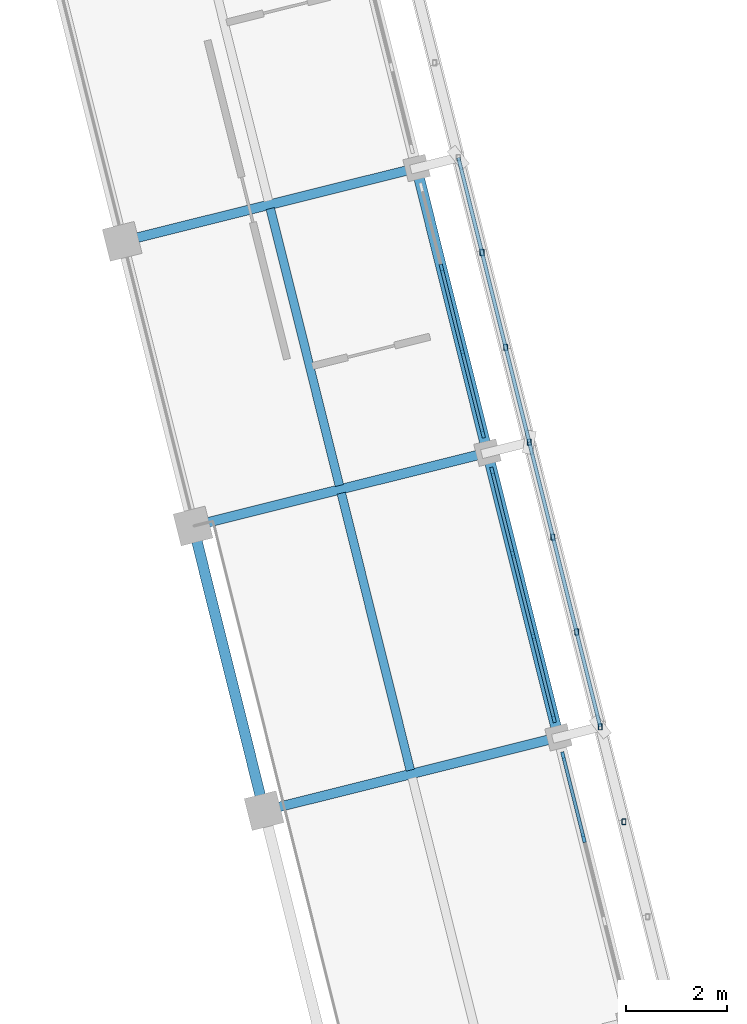
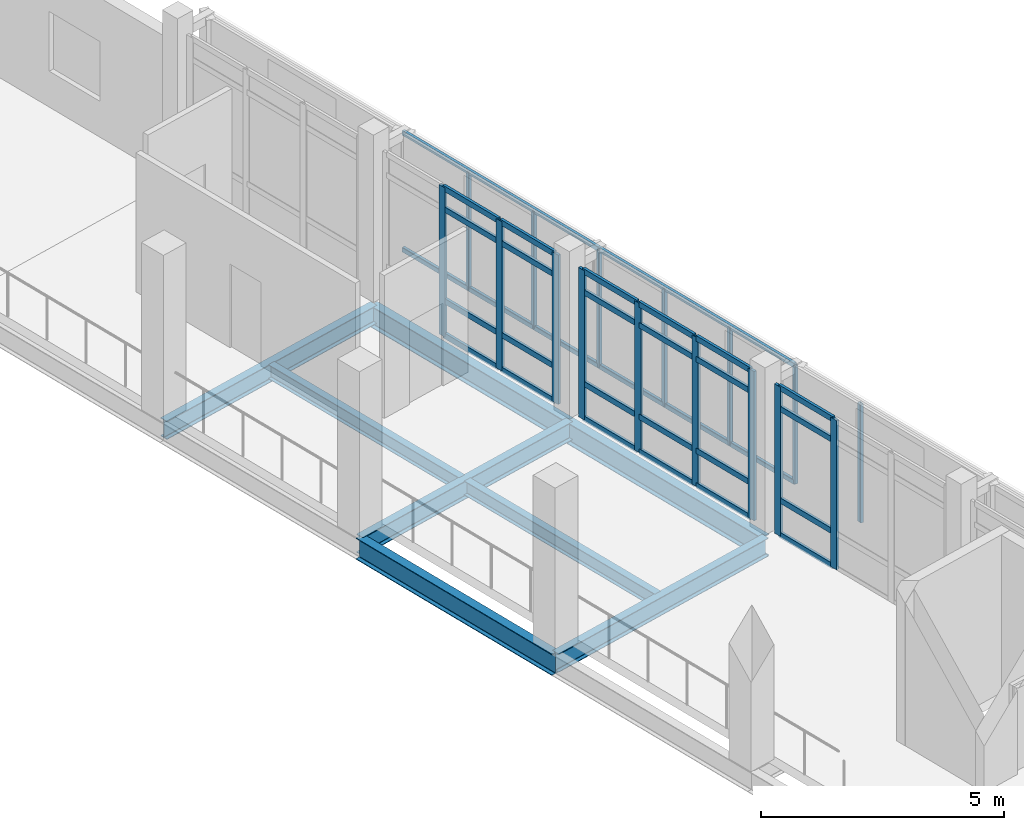
# One storey, part 21 of 137: 44 members, 8 beams, 3 elements without a shape of their own.
"""IFC4 building model written with IfcOpenShell, lengths in metres."""

from ifc_helpers import new_model, si_unit, direction, frame, origin, origin_2d, place, context, subcontext, project, spatial, rectangle, hollow_rectangle, i_section, extrude, material, material_profile, profile_set, type_object, element, aggregate, save


model = new_model("IFC4")

# Units and contexts
model_context = context("Model", 3, precision=1e-05, world=origin(), true_north=direction((0.0, 1.0)))
body_context = subcontext(model_context, "Body", "Model", "MODEL_VIEW")
ifc_project = project(units=[si_unit("LENGTHUNIT", "METRE"), si_unit("AREAUNIT", "SQUARE_METRE"), si_unit("VOLUMEUNIT", "CUBIC_METRE"), si_unit("PLANEANGLEUNIT", "RADIAN"), si_unit("MASSUNIT", "GRAM", prefix="KILO")], contexts=[model_context])

# Site, building, storey
site_placement = place(None, origin())
site = spatial("IfcSite", under=ifc_project, at=site_placement, CompositionType="ELEMENT")
building_placement = place(site_placement, origin())
building = spatial("IfcBuilding", under=site, at=building_placement, Name="Cinderway Yard Community Centre", CompositionType="ELEMENT")
storey_placement = place(building_placement, frame((0.0, 0.0, 4.800048828125)))
storey = spatial("IfcBuildingStorey", under=building, at=storey_placement, Name="L01", CompositionType="ELEMENT", Elevation=4.800048828125)

# Curtain wall, members
ifc_material_1 = material(Name="Aluminium 6063-T6", Category="aluminium")
curtain_wall_type = type_object("IfcCurtainWallType", Name="ENV-CW-TYPE-04", PredefinedType="USERDEFINED", material=ifc_material_1)
curtain_wall_1_placement = place(storey_placement, origin())
curtain_wall_1 = element("IfcCurtainWall", 1, at=curtain_wall_1_placement, inside=storey, type_object=curtain_wall_type, Name="Main Hall Courtyard Curtain Wall ENV-CW-L01-HS-0013", ObjectType="GLAZED CURTAIN WALL", PredefinedType="USERDEFINED")
ifc_material_profile_1 = material_profile(ifc_material_1, rectangle(XDim=0.06494140625, YDim=0.179931640625, at=origin_2d()), Name="Aluminium 6063-T6")
ifc_profile_set_1 = profile_set([ifc_material_profile_1], Name="Aluminium 6063-T6")
member_type_1 = type_object("IfcMemberType", Name="ENV-CW-MULL-180", PredefinedType="MULLION", material=ifc_profile_set_1)
member_1_placement = place(storey_placement, frame((47.68359375, 53.860595703125, 0.0), z_axis=(0.0, 0.0, 1.0), x_axis=(-0.97030436752, -0.241887234827, 0.0)))
member_1 = element("IfcMember", 2, at=member_1_placement, type_object=member_type_1, Name="CW-04 mullion 3", PredefinedType="MULLION", context=body_context, shape_type="SweptSolid", body=[
    extrude(rectangle(XDim=0.06494140625, YDim=0.179931640625, at=origin_2d()), origin(), (0.0, 0.0, 1.0), 3.75),
])
member_2_placement = place(storey_placement, frame((47.28125, 55.474853515625, 0.0), z_axis=(0.0, 0.0, 1.0), x_axis=(-0.97030436752, -0.241887234827, 0.0)))
member_2 = element("IfcMember", 3, at=member_2_placement, type_object=member_type_1, Name="CW-04 mullion 4", PredefinedType="MULLION", context=body_context, shape_type="SweptSolid", body=[
    extrude(rectangle(XDim=0.06494140625, YDim=0.179931640625, at=origin_2d()), origin(), (0.0, 0.0, 1.0), 3.75),
])

curtain_wall_2_placement = place(storey_placement, origin())
curtain_wall_2 = element("IfcCurtainWall", 4, at=curtain_wall_2_placement, inside=storey, type_object=curtain_wall_type, Name="Main Hall Courtyard Curtain Wall ENV-CW-L01-HS-0014", ObjectType="GLAZED CURTAIN WALL", PredefinedType="USERDEFINED")
member_3_placement = place(storey_placement, frame((47.0927734375, 56.231201171875, 0.0), z_axis=(0.0, 0.0, 1.0), x_axis=(-0.97030436752, -0.241887234827, 0.0)))
member_3 = element("IfcMember", 5, at=member_3_placement, type_object=member_type_1, Name="CW-04 mullion 1", PredefinedType="MULLION", context=body_context, shape_type="SweptSolid", body=[
    extrude(rectangle(XDim=0.06494140625, YDim=0.179931640625, at=origin_2d()), origin(), (0.0, 0.0, 1.0), 3.75),
])
member_4_placement = place(storey_placement, frame((46.6904296875, 57.84521484375, 0.0), z_axis=(0.0, 0.0, 1.0), x_axis=(-0.97030436752, -0.241887234827, 0.0)))
member_4 = element("IfcMember", 6, at=member_4_placement, type_object=member_type_1, Name="CW-04 mullion 2", PredefinedType="MULLION", context=body_context, shape_type="SweptSolid", body=[
    extrude(rectangle(XDim=0.06494140625, YDim=0.179931640625, at=origin_2d()), origin(), (0.0, 0.0, 1.0), 3.75),
])
member_5_placement = place(storey_placement, frame((46.28076171875, 59.48876953125, 0.0), z_axis=(0.0, 0.0, 1.0), x_axis=(-0.97030436752, -0.241887234827, 0.0)))
member_5 = element("IfcMember", 7, at=member_5_placement, type_object=member_type_1, Name="CW-04 mullion 3", PredefinedType="MULLION", context=body_context, shape_type="SweptSolid", body=[
    extrude(rectangle(XDim=0.06494140625, YDim=0.179931640625, at=origin_2d()), origin(), (0.0, 0.0, 1.0), 3.75),
])
member_6_placement = place(storey_placement, frame((45.878173828125, 61.102783203125, 0.0), z_axis=(0.0, 0.0, 1.0), x_axis=(-0.97030436752, -0.241887234827, 0.0)))
member_6 = element("IfcMember", 8, at=member_6_placement, type_object=member_type_1, Name="CW-04 mullion 4", PredefinedType="MULLION", context=body_context, shape_type="SweptSolid", body=[
    extrude(rectangle(XDim=0.06494140625, YDim=0.179931640625, at=origin_2d()), origin(), (0.0, 0.0, 1.0), 3.75),
])

curtain_wall_3_placement = place(storey_placement, origin())
curtain_wall_3 = element("IfcCurtainWall", 9, at=curtain_wall_3_placement, inside=storey, type_object=curtain_wall_type, Name="Main Hall Courtyard Curtain Wall ENV-CW-L01-HS-0015", ObjectType="GLAZED CURTAIN WALL", PredefinedType="USERDEFINED")
member_7_placement = place(storey_placement, frame((45.689697265625, 61.859130859375, 0.0), z_axis=(0.0, 0.0, 1.0), x_axis=(-0.970292848611, -0.241933436991, 0.0)))
member_7 = element("IfcMember", 10, at=member_7_placement, type_object=member_type_1, Name="CW-04 mullion 1", PredefinedType="MULLION", context=body_context, shape_type="SweptSolid", body=[
    extrude(rectangle(XDim=0.06494140625, YDim=0.179931640625, at=origin_2d()), origin(), (0.0, 0.0, 1.0), 3.75),
])
member_8_placement = place(storey_placement, frame((45.287353515625, 63.472900390625, 0.0), z_axis=(0.0, 0.0, 1.0), x_axis=(-0.970292848611, -0.241933436991, 0.0)))
member_8 = element("IfcMember", 11, at=member_8_placement, type_object=member_type_1, Name="CW-04 mullion 2", PredefinedType="MULLION", context=body_context, shape_type="SweptSolid", body=[
    extrude(rectangle(XDim=0.06494140625, YDim=0.179931640625, at=origin_2d()), origin(), (0.0, 0.0, 1.0), 3.75),
])
member_9_placement = place(storey_placement, frame((44.877685546875, 65.115966796875, 0.0), z_axis=(0.0, 0.0, 1.0), x_axis=(-0.970292848611, -0.241933436991, 0.0)))
member_9 = element("IfcMember", 12, at=member_9_placement, type_object=member_type_1, Name="CW-04 mullion 3", PredefinedType="MULLION", context=body_context, shape_type="SweptSolid", body=[
    extrude(rectangle(XDim=0.06494140625, YDim=0.179931640625, at=origin_2d()), origin(), (0.0, 0.0, 1.0), 3.75),
])

# Member
ifc_material_profile_2 = material_profile(ifc_material_1, rectangle(XDim=0.06494140625, YDim=0.139892578125, at=origin_2d()), Name="Aluminium 6063-T6")
ifc_profile_set_2 = profile_set([ifc_material_profile_2], Name="Aluminium 6063-T6")
member_type_2 = type_object("IfcMemberType", Name="ENV-CW-TRAN-140", PredefinedType="USERDEFINED", material=ifc_profile_set_2)
member_10_placement = place(storey_placement, frame((47.676513671875, 53.889892578125, 0.030029296875), z_axis=(-0.241926573916, 0.970294559829, 0.0), x_axis=(-0.970294559829, -0.241926573916, 0.0)))
member_10 = element("IfcMember", 13, at=member_10_placement, type_object=member_type_2, Name="CW-04 transom 3.1", ObjectType="TRANSOM", PredefinedType="USERDEFINED", context=body_context, shape_type="SweptSolid", body=[
    extrude(rectangle(XDim=0.06494140625, YDim=0.139892578125, at=origin_2d()), origin(), (0.0, 0.0, 1.0), 1.603515625),
])

member_11_placement = place(storey_placement, frame((47.676513671875, 53.889892578125, 0.89990234375), z_axis=(-0.241926573916, 0.970294559829, 0.0), x_axis=(-0.970294559829, -0.241926573916, 0.0)))
member_11 = element("IfcMember", 14, at=member_11_placement, type_object=member_type_2, Name="CW-04 transom 3.2", ObjectType="TRANSOM", PredefinedType="USERDEFINED", context=body_context, shape_type="SweptSolid", body=[
    extrude(rectangle(XDim=0.06494140625, YDim=0.139892578125, at=origin_2d()), origin(), (0.0, 0.0, 1.0), 1.603515625),
])

member_12_placement = place(storey_placement, frame((47.676513671875, 53.889892578125, 3.199951171875), z_axis=(-0.241926573916, 0.970294559829, 0.0), x_axis=(-0.970294559829, -0.241926573916, 0.0)))
member_12 = element("IfcMember", 15, at=member_12_placement, type_object=member_type_2, Name="CW-04 transom 3.3", ObjectType="TRANSOM", PredefinedType="USERDEFINED", context=body_context, shape_type="SweptSolid", body=[
    extrude(rectangle(XDim=0.06494140625, YDim=0.139892578125, at=origin_2d()), origin(), (0.0, 0.0, 1.0), 1.603515625),
])

member_13_placement = place(storey_placement, frame((47.676513671875, 53.889892578125, 3.719970703125), z_axis=(-0.241926573916, 0.970294559829, 0.0), x_axis=(-0.970294559829, -0.241926573916, 0.0)))
member_13 = element("IfcMember", 16, at=member_13_placement, type_object=member_type_2, Name="CW-04 transom 3.4", ObjectType="TRANSOM", PredefinedType="USERDEFINED", context=body_context, shape_type="SweptSolid", body=[
    extrude(rectangle(XDim=0.06494140625, YDim=0.139892578125, at=origin_2d()), origin(), (0.0, 0.0, 1.0), 1.603515625),
])

aggregate(curtain_wall_1, [member_1, member_2, member_10, member_11, member_12, member_13])

member_14_placement = place(storey_placement, frame((47.08544921875, 56.26025390625, 0.030029296875), z_axis=(-0.241926573916, 0.970294559829, 0.0), x_axis=(-0.970294559829, -0.241926573916, 0.0)))
member_14 = element("IfcMember", 17, at=member_14_placement, type_object=member_type_2, Name="CW-04 transom 1.1", ObjectType="TRANSOM", PredefinedType="USERDEFINED", context=body_context, shape_type="SweptSolid", body=[
    extrude(rectangle(XDim=0.06494140625, YDim=0.139892578125, at=origin_2d()), origin(), (0.0, 0.0, 1.0), 1.603515625),
])

member_15_placement = place(storey_placement, frame((47.08544921875, 56.26025390625, 0.89990234375), z_axis=(-0.241926573916, 0.970294559829, 0.0), x_axis=(-0.970294559829, -0.241926573916, 0.0)))
member_15 = element("IfcMember", 18, at=member_15_placement, type_object=member_type_2, Name="CW-04 transom 1.2", ObjectType="TRANSOM", PredefinedType="USERDEFINED", context=body_context, shape_type="SweptSolid", body=[
    extrude(rectangle(XDim=0.06494140625, YDim=0.139892578125, at=origin_2d()), origin(), (0.0, 0.0, 1.0), 1.603515625),
])

member_16_placement = place(storey_placement, frame((47.08544921875, 56.26025390625, 3.199951171875), z_axis=(-0.241926573916, 0.970294559829, 0.0), x_axis=(-0.970294559829, -0.241926573916, 0.0)))
member_16 = element("IfcMember", 19, at=member_16_placement, type_object=member_type_2, Name="CW-04 transom 1.3", ObjectType="TRANSOM", PredefinedType="USERDEFINED", context=body_context, shape_type="SweptSolid", body=[
    extrude(rectangle(XDim=0.06494140625, YDim=0.139892578125, at=origin_2d()), origin(), (0.0, 0.0, 1.0), 1.603515625),
])

member_17_placement = place(storey_placement, frame((47.08544921875, 56.26025390625, 3.719970703125), z_axis=(-0.241926573916, 0.970294559829, 0.0), x_axis=(-0.970294559829, -0.241926573916, 0.0)))
member_17 = element("IfcMember", 20, at=member_17_placement, type_object=member_type_2, Name="CW-04 transom 1.4", ObjectType="TRANSOM", PredefinedType="USERDEFINED", context=body_context, shape_type="SweptSolid", body=[
    extrude(rectangle(XDim=0.06494140625, YDim=0.139892578125, at=origin_2d()), origin(), (0.0, 0.0, 1.0), 1.603515625),
])

member_18_placement = place(storey_placement, frame((46.68310546875, 57.87451171875, 0.030029296875), z_axis=(-0.241972917865, 0.970283003571, 0.0), x_axis=(-0.970283003571, -0.241972917865, 0.0)))
member_18 = element("IfcMember", 21, at=member_18_placement, type_object=member_type_2, Name="CW-04 transom 2.1", ObjectType="TRANSOM", PredefinedType="USERDEFINED", context=body_context, shape_type="SweptSolid", body=[
    extrude(rectangle(XDim=0.06494140625, YDim=0.139892578125, at=origin_2d()), origin(), (0.0, 0.0, 1.0), 1.633544921875),
])

member_19_placement = place(storey_placement, frame((46.68310546875, 57.87451171875, 0.89990234375), z_axis=(-0.241972917865, 0.970283003571, 0.0), x_axis=(-0.970283003571, -0.241972917865, 0.0)))
member_19 = element("IfcMember", 22, at=member_19_placement, type_object=member_type_2, Name="CW-04 transom 2.2", ObjectType="TRANSOM", PredefinedType="USERDEFINED", context=body_context, shape_type="SweptSolid", body=[
    extrude(rectangle(XDim=0.06494140625, YDim=0.139892578125, at=origin_2d()), origin(), (0.0, 0.0, 1.0), 1.633544921875),
])

member_20_placement = place(storey_placement, frame((46.68310546875, 57.87451171875, 3.199951171875), z_axis=(-0.241972917865, 0.970283003571, 0.0), x_axis=(-0.970283003571, -0.241972917865, 0.0)))
member_20 = element("IfcMember", 23, at=member_20_placement, type_object=member_type_2, Name="CW-04 transom 2.3", ObjectType="TRANSOM", PredefinedType="USERDEFINED", context=body_context, shape_type="SweptSolid", body=[
    extrude(rectangle(XDim=0.06494140625, YDim=0.139892578125, at=origin_2d()), origin(), (0.0, 0.0, 1.0), 1.633544921875),
])

member_21_placement = place(storey_placement, frame((46.68310546875, 57.87451171875, 3.719970703125), z_axis=(-0.241972917865, 0.970283003571, 0.0), x_axis=(-0.970283003571, -0.241972917865, 0.0)))
member_21 = element("IfcMember", 24, at=member_21_placement, type_object=member_type_2, Name="CW-04 transom 2.4", ObjectType="TRANSOM", PredefinedType="USERDEFINED", context=body_context, shape_type="SweptSolid", body=[
    extrude(rectangle(XDim=0.06494140625, YDim=0.139892578125, at=origin_2d()), origin(), (0.0, 0.0, 1.0), 1.633544921875),
])

member_22_placement = place(storey_placement, frame((46.2734375, 59.517822265625, 0.030029296875), z_axis=(-0.241926573916, 0.970294559829, 0.0), x_axis=(-0.970294559829, -0.241926573916, 0.0)))
member_22 = element("IfcMember", 25, at=member_22_placement, type_object=member_type_2, Name="CW-04 transom 3.1", ObjectType="TRANSOM", PredefinedType="USERDEFINED", context=body_context, shape_type="SweptSolid", body=[
    extrude(rectangle(XDim=0.06494140625, YDim=0.139892578125, at=origin_2d()), origin(), (0.0, 0.0, 1.0), 1.603515625),
])

member_23_placement = place(storey_placement, frame((46.2734375, 59.517822265625, 0.89990234375), z_axis=(-0.241926573916, 0.970294559829, 0.0), x_axis=(-0.970294559829, -0.241926573916, 0.0)))
member_23 = element("IfcMember", 26, at=member_23_placement, type_object=member_type_2, Name="CW-04 transom 3.2", ObjectType="TRANSOM", PredefinedType="USERDEFINED", context=body_context, shape_type="SweptSolid", body=[
    extrude(rectangle(XDim=0.06494140625, YDim=0.139892578125, at=origin_2d()), origin(), (0.0, 0.0, 1.0), 1.603515625),
])

member_24_placement = place(storey_placement, frame((46.2734375, 59.517822265625, 3.199951171875), z_axis=(-0.241926573916, 0.970294559829, 0.0), x_axis=(-0.970294559829, -0.241926573916, 0.0)))
member_24 = element("IfcMember", 27, at=member_24_placement, type_object=member_type_2, Name="CW-04 transom 3.3", ObjectType="TRANSOM", PredefinedType="USERDEFINED", context=body_context, shape_type="SweptSolid", body=[
    extrude(rectangle(XDim=0.06494140625, YDim=0.139892578125, at=origin_2d()), origin(), (0.0, 0.0, 1.0), 1.603515625),
])

member_25_placement = place(storey_placement, frame((46.2734375, 59.517822265625, 3.719970703125), z_axis=(-0.241926573916, 0.970294559829, 0.0), x_axis=(-0.970294559829, -0.241926573916, 0.0)))
member_25 = element("IfcMember", 28, at=member_25_placement, type_object=member_type_2, Name="CW-04 transom 3.4", ObjectType="TRANSOM", PredefinedType="USERDEFINED", context=body_context, shape_type="SweptSolid", body=[
    extrude(rectangle(XDim=0.06494140625, YDim=0.139892578125, at=origin_2d()), origin(), (0.0, 0.0, 1.0), 1.603515625),
])

aggregate(curtain_wall_2, [member_3, member_4, member_5, member_6, member_14, member_15, member_16, member_17, member_18, member_19, member_20, member_21, member_22, member_23, member_24, member_25])

member_26_placement = place(storey_placement, frame((45.682373046875, 61.88818359375, 0.030029296875), z_axis=(-0.241818952107, 0.970321387171, 0.0), x_axis=(-0.970321387171, -0.241818952107, 0.0)))
member_26 = element("IfcMember", 29, at=member_26_placement, type_object=member_type_2, Name="CW-04 transom 1.1", ObjectType="TRANSOM", PredefinedType="USERDEFINED", context=body_context, shape_type="SweptSolid", body=[
    extrude(rectangle(XDim=0.06494140625, YDim=0.139892578125, at=origin_2d()), origin(), (0.0, 0.0, 1.0), 1.603271484375),
])

member_27_placement = place(storey_placement, frame((45.682373046875, 61.88818359375, 0.89990234375), z_axis=(-0.241818952107, 0.970321387171, 0.0), x_axis=(-0.970321387171, -0.241818952107, 0.0)))
member_27 = element("IfcMember", 30, at=member_27_placement, type_object=member_type_2, Name="CW-04 transom 1.2", ObjectType="TRANSOM", PredefinedType="USERDEFINED", context=body_context, shape_type="SweptSolid", body=[
    extrude(rectangle(XDim=0.06494140625, YDim=0.139892578125, at=origin_2d()), origin(), (0.0, 0.0, 1.0), 1.603271484375),
])

member_28_placement = place(storey_placement, frame((45.682373046875, 61.88818359375, 3.199951171875), z_axis=(-0.241818952107, 0.970321387171, 0.0), x_axis=(-0.970321387171, -0.241818952107, 0.0)))
member_28 = element("IfcMember", 31, at=member_28_placement, type_object=member_type_2, Name="CW-04 transom 1.3", ObjectType="TRANSOM", PredefinedType="USERDEFINED", context=body_context, shape_type="SweptSolid", body=[
    extrude(rectangle(XDim=0.06494140625, YDim=0.139892578125, at=origin_2d()), origin(), (0.0, 0.0, 1.0), 1.603271484375),
])

member_29_placement = place(storey_placement, frame((45.682373046875, 61.88818359375, 3.719970703125), z_axis=(-0.241818952107, 0.970321387171, 0.0), x_axis=(-0.970321387171, -0.241818952107, 0.0)))
member_29 = element("IfcMember", 32, at=member_29_placement, type_object=member_type_2, Name="CW-04 transom 1.4", ObjectType="TRANSOM", PredefinedType="USERDEFINED", context=body_context, shape_type="SweptSolid", body=[
    extrude(rectangle(XDim=0.06494140625, YDim=0.139892578125, at=origin_2d()), origin(), (0.0, 0.0, 1.0), 1.603271484375),
])

member_30_placement = place(storey_placement, frame((45.280029296875, 63.502197265625, 0.030029296875), z_axis=(-0.24186728009, 0.970309341819, 0.0), x_axis=(-0.970309341819, -0.24186728009, 0.0)))
member_30 = element("IfcMember", 33, at=member_30_placement, type_object=member_type_2, Name="CW-04 transom 2.1", ObjectType="TRANSOM", PredefinedType="USERDEFINED", context=body_context, shape_type="SweptSolid", body=[
    extrude(rectangle(XDim=0.06494140625, YDim=0.139892578125, at=origin_2d()), origin(), (0.0, 0.0, 1.0), 1.63330078125),
])

member_31_placement = place(storey_placement, frame((45.280029296875, 63.502197265625, 0.89990234375), z_axis=(-0.24186728009, 0.970309341819, 0.0), x_axis=(-0.970309341819, -0.24186728009, 0.0)))
member_31 = element("IfcMember", 34, at=member_31_placement, type_object=member_type_2, Name="CW-04 transom 2.2", ObjectType="TRANSOM", PredefinedType="USERDEFINED", context=body_context, shape_type="SweptSolid", body=[
    extrude(rectangle(XDim=0.06494140625, YDim=0.139892578125, at=origin_2d()), origin(), (0.0, 0.0, 1.0), 1.63330078125),
])

member_32_placement = place(storey_placement, frame((45.280029296875, 63.502197265625, 3.199951171875), z_axis=(-0.24186728009, 0.970309341819, 0.0), x_axis=(-0.970309341819, -0.24186728009, 0.0)))
member_32 = element("IfcMember", 35, at=member_32_placement, type_object=member_type_2, Name="CW-04 transom 2.3", ObjectType="TRANSOM", PredefinedType="USERDEFINED", context=body_context, shape_type="SweptSolid", body=[
    extrude(rectangle(XDim=0.06494140625, YDim=0.139892578125, at=origin_2d()), origin(), (0.0, 0.0, 1.0), 1.63330078125),
])

member_33_placement = place(storey_placement, frame((45.280029296875, 63.502197265625, 3.719970703125), z_axis=(-0.24186728009, 0.970309341819, 0.0), x_axis=(-0.970309341819, -0.24186728009, 0.0)))
member_33 = element("IfcMember", 36, at=member_33_placement, type_object=member_type_2, Name="CW-04 transom 2.4", ObjectType="TRANSOM", PredefinedType="USERDEFINED", context=body_context, shape_type="SweptSolid", body=[
    extrude(rectangle(XDim=0.06494140625, YDim=0.139892578125, at=origin_2d()), origin(), (0.0, 0.0, 1.0), 1.63330078125),
])

aggregate(curtain_wall_3, [member_7, member_8, member_9, member_26, member_27, member_28, member_29, member_30, member_31, member_32, member_33])

# Members
ifc_material_2 = material(Name="Steel S355", Category="steel")
ifc_material_profile_3 = material_profile(ifc_material_2, hollow_rectangle(XDim=0.080078125, YDim=0.1201171875, WallThickness=0.00634765625, InnerFilletRadius=0.00634765625, OuterFilletRadius=0.0126953125, at=origin_2d()), Name="Steel S355")
ifc_profile_set_3 = profile_set([ifc_material_profile_3], Name="Steel S355")
member_type_3 = type_object("IfcMemberType", Name="ENV-MEM-SCREEN-RAIL-120", PredefinedType="STRINGER", material=ifc_profile_set_3)
for number, where, z_axis, x_axis, name in (
    (37, (48.47998046875, 54.18310546875, 0.68994140625), (0.0, 0.0, 1.0), (1.0, 0.0, 0.0), "Screen vertical mullion 0805"),
    (38, (48.011962890625, 56.05908203125, 0.68994140625), (0.0, 0.0, 1.0), (1.0, 0.0, 0.0), "Screen vertical mullion 0806"),
):
    element("IfcMember", number, at=place(storey_placement, frame(where, z_axis=z_axis, x_axis=x_axis)), inside=storey, type_object=member_type_3, Name=name, PredefinedType="STRINGER", context=body_context, shape_type="SweptSolid", body=[
        extrude(hollow_rectangle(XDim=0.080078125, YDim=0.1201171875, WallThickness=0.00634765625, InnerFilletRadius=0.00634765625, OuterFilletRadius=0.0126953125, at=origin_2d()), origin(), (0.0, 0.0, 1.0), 2.969970703125),
    ])
for number, where, z_axis, x_axis, name in (
    (39, (48.011962890625, 56.05908203125, 0.7099609375), (-0.2419017199, 0.97030075642, 0.0), (-0.97030075642, -0.2419017199, 0.0), "Screen support rail 0808-BOT"),
    (40, (48.011962890625, 56.05908203125, 3.639892578125), (-0.2419017199, 0.97030075642, 0.0), (-0.97030075642, -0.2419017199, 0.0), "Screen support rail 0809-TOP"),
):
    element("IfcMember", number, at=place(storey_placement, frame(where, z_axis=z_axis, x_axis=x_axis)), inside=storey, type_object=member_type_3, Name=name, PredefinedType="STRINGER", context=body_context, shape_type="SweptSolid", body=[
        extrude(hollow_rectangle(XDim=0.080078125, YDim=0.1201171875, WallThickness=0.00634765625, InnerFilletRadius=0.00634765625, OuterFilletRadius=0.0126953125, at=origin_2d()), origin(), (0.0, 0.0, 1.0), 5.80029296875),
    ])
for number, where, z_axis, x_axis, name in (
    (41, (47.5439453125, 57.93505859375, 0.68994140625), (0.0, 0.0, 1.0), (1.0, 0.0, 0.0), "Screen vertical mullion 0810"),
    (42, (47.076904296875, 59.81103515625, 0.68994140625), (0.0, 0.0, 1.0), (1.0, 0.0, 0.0), "Screen vertical mullion 0811"),
    (43, (46.60888671875, 61.68701171875, 0.68994140625), (0.0, 0.0, 1.0), (1.0, 0.0, 0.0), "Screen vertical mullion 0812"),
):
    element("IfcMember", number, at=place(storey_placement, frame(where, z_axis=z_axis, x_axis=x_axis)), inside=storey, type_object=member_type_3, Name=name, PredefinedType="STRINGER", context=body_context, shape_type="SweptSolid", body=[
        extrude(hollow_rectangle(XDim=0.080078125, YDim=0.1201171875, WallThickness=0.00634765625, InnerFilletRadius=0.00634765625, OuterFilletRadius=0.0126953125, at=origin_2d()), origin(), (0.0, 0.0, 1.0), 2.969970703125),
    ])
for number, where, z_axis, x_axis, name in (
    (44, (46.60888671875, 61.68701171875, 0.7099609375), (-0.241901609859, 0.970300783854, 0.0), (-0.970300783854, -0.241901609859, 0.0), "Screen support rail 0814-BOT"),
    (45, (46.60888671875, 61.68701171875, 3.639892578125), (-0.241901609859, 0.970300783854, 0.0), (-0.970300783854, -0.241901609859, 0.0), "Screen support rail 0815-TOP"),
):
    element("IfcMember", number, at=place(storey_placement, frame(where, z_axis=z_axis, x_axis=x_axis)), inside=storey, type_object=member_type_3, Name=name, PredefinedType="STRINGER", context=body_context, shape_type="SweptSolid", body=[
        extrude(hollow_rectangle(XDim=0.080078125, YDim=0.1201171875, WallThickness=0.00634765625, InnerFilletRadius=0.00634765625, OuterFilletRadius=0.0126953125, at=origin_2d()), origin(), (0.0, 0.0, 1.0), 5.799072265625),
    ])
for number, where, z_axis, x_axis, name in (
    (46, (46.14111328125, 63.56298828125, 0.68994140625), (0.0, 0.0, 1.0), (1.0, 0.0, 0.0), "Screen vertical mullion 0816"),
    (47, (45.674072265625, 65.43798828125, 0.68994140625), (0.0, 0.0, 1.0), (1.0, 0.0, 0.0), "Screen vertical mullion 0817"),
):
    element("IfcMember", number, at=place(storey_placement, frame(where, z_axis=z_axis, x_axis=x_axis)), inside=storey, type_object=member_type_3, Name=name, PredefinedType="STRINGER", context=body_context, shape_type="SweptSolid", body=[
        extrude(hollow_rectangle(XDim=0.080078125, YDim=0.1201171875, WallThickness=0.00634765625, InnerFilletRadius=0.00634765625, OuterFilletRadius=0.0126953125, at=origin_2d()), origin(), (0.0, 0.0, 1.0), 2.969970703125),
    ])

# Beams
ifc_material_profile_4 = material_profile(ifc_material_2, i_section(OverallWidth=0.172119140625, OverallDepth=0.35791015625, WebThickness=0.0078125, FlangeThickness=0.01318359375, FilletRadius=0.010986328125, at=origin_2d()), Name="Steel S355")
ifc_profile_set_4 = profile_set([ifc_material_profile_4], Name="Steel S355")
beam_type_1 = type_object("IfcBeamType", Name="STR-BM-W360X57", PredefinedType="JOIST", material=ifc_profile_set_4)
beam_1_placement = place(storey_placement, frame((44.257080078125, 55.201904296875, -0.4189453125), z_axis=(-0.241782580887, 0.970330450712, 0.0), x_axis=(-0.970330450712, -0.241782580887, 0.0)))
element("IfcBeam", 48, at=beam_1_placement, inside=storey, type_object=beam_type_1, Name="Secondary joist STR-BM-L01-SJ03-0042", PredefinedType="JOIST", context=body_context, shape_type="SweptSolid", body=[
    extrude(i_section(OverallWidth=0.172119140625, OverallDepth=0.35791015625, WebThickness=0.0078125, FlangeThickness=0.01318359375, FilletRadius=0.010986328125, at=origin_2d()), origin(), (0.0, 0.0, 1.0), 5.6455078125),
])
beam_2_placement = place(storey_placement, frame((42.85400390625, 60.830078125, -0.4189453125), z_axis=(-0.241945438317, 0.970289856114, 0.0), x_axis=(-0.970289856114, -0.241945438317, 0.0)))
element("IfcBeam", 49, at=beam_2_placement, inside=storey, type_object=beam_type_1, Name="Secondary joist STR-BM-L01-SJ03-0043", PredefinedType="JOIST", context=body_context, shape_type="SweptSolid", body=[
    extrude(i_section(OverallWidth=0.172119140625, OverallDepth=0.35791015625, WebThickness=0.0078125, FlangeThickness=0.01318359375, FilletRadius=0.010986328125, at=origin_2d()), origin(), (0.0, 0.0, 1.0), 5.645751953125),
])
ifc_material_profile_5 = material_profile(ifc_material_2, i_section(OverallWidth=0.19091796875, OverallDepth=0.4599609375, WebThickness=0.010009765625, FlangeThickness=0.014404296875, FilletRadius=0.012939453125, at=origin_2d()), Name="Steel S355")
ifc_profile_set_5 = profile_set([ifc_material_profile_5], Name="Steel S355")
beam_type_2 = type_object("IfcBeamType", Name="STR-BM-W460X82", PredefinedType="JOIST", material=ifc_profile_set_5)
beam_3_placement = place(storey_placement, frame((41.364990234375, 54.402099609375, -0.469970703125), z_axis=(0.970321746773, 0.241817509166, 0.0), x_axis=(-0.241817509166, 0.970321746773, 0.0)))
element("IfcBeam", 50, at=beam_3_placement, inside=storey, type_object=beam_type_2, Name="Primary girder STR-BM-L01-SJ01-0022", PredefinedType="JOIST", context=body_context, shape_type="SweptSolid", body=[
    extrude(i_section(OverallWidth=0.19091796875, OverallDepth=0.4599609375, WebThickness=0.010009765625, FlangeThickness=0.014404296875, FilletRadius=0.012939453125, at=origin_2d()), origin(), (0.0, 0.0, 1.0), 6.0),
])
beam_4_placement = place(storey_placement, frame((39.9619140625, 60.029052734375, -0.469970703125), z_axis=(0.970283546542, 0.241970740608, 0.0), x_axis=(-0.241970740608, 0.970283546542, 0.0)))
element("IfcBeam", 51, at=beam_4_placement, inside=storey, type_object=beam_type_2, Name="Primary girder STR-BM-L01-SJ01-0023", PredefinedType="JOIST", context=body_context, shape_type="SweptSolid", body=[
    extrude(i_section(OverallWidth=0.19091796875, OverallDepth=0.4599609375, WebThickness=0.010009765625, FlangeThickness=0.014404296875, FilletRadius=0.012939453125, at=origin_2d()), origin(), (0.0, 0.0, 1.0), 6.000244140625),
])
beam_5_placement = place(storey_placement, frame((38.55908203125, 65.656982421875, -0.469970703125), z_axis=(0.970321746773, 0.241817509166, 0.0), x_axis=(-0.241817509166, 0.970321746773, 0.0)))
element("IfcBeam", 52, at=beam_5_placement, inside=storey, type_object=beam_type_2, Name="Primary girder STR-BM-L01-SJ01-0024", PredefinedType="JOIST", context=body_context, shape_type="SweptSolid", body=[
    extrude(i_section(OverallWidth=0.19091796875, OverallDepth=0.4599609375, WebThickness=0.010009765625, FlangeThickness=0.014404296875, FilletRadius=0.012939453125, at=origin_2d()), origin(), (0.0, 0.0, 1.0), 6.0),
])
ifc_material_profile_6 = material_profile(ifc_material_2, i_section(OverallWidth=0.2109375, OverallDepth=0.5390625, WebThickness=0.010986328125, FlangeThickness=0.017333984375, FilletRadius=0.013916015625, at=origin_2d()), Name="Steel S355")
ifc_profile_set_6 = profile_set([ifc_material_profile_6], Name="Steel S355")
beam_type_3 = type_object("IfcBeamType", Name="STR-BM-W530X109", PredefinedType="BEAM", material=ifc_profile_set_6)
beam_6_placement = place(storey_placement, frame((41.364990234375, 54.402099609375, -0.510009765625), z_axis=(-0.241941244896, 0.97029090175, 0.0), x_axis=(-0.97029090175, -0.241941244896, 0.0)))
element("IfcBeam", 53, at=beam_6_placement, inside=storey, type_object=beam_type_3, Name="Transverse girder STR-BM-L01-SB06-0030", PredefinedType="BEAM", context=body_context, shape_type="SweptSolid", body=[
    extrude(i_section(OverallWidth=0.2109375, OverallDepth=0.5390625, WebThickness=0.010986328125, FlangeThickness=0.017333984375, FilletRadius=0.013916015625, at=origin_2d()), origin(), (0.0, 0.0, 1.0), 5.79931640625),
])
beam_7_placement = place(storey_placement, frame((47.18701171875, 55.85302734375, -0.510009765625), z_axis=(-0.2419017199, 0.97030075642, 0.0), x_axis=(-0.97030075642, -0.2419017199, 0.0)))
element("IfcBeam", 54, at=beam_7_placement, inside=storey, type_object=beam_type_3, Name="Transverse girder STR-BM-L01-SB06-0037", PredefinedType="BEAM", context=body_context, shape_type="SweptSolid", body=[
    extrude(i_section(OverallWidth=0.2109375, OverallDepth=0.5390625, WebThickness=0.010986328125, FlangeThickness=0.017333984375, FilletRadius=0.013916015625, at=origin_2d()), origin(), (0.0, 0.0, 1.0), 5.80029296875),
])
beam_8_placement = place(storey_placement, frame((45.783935546875, 61.48095703125, -0.510009765625), z_axis=(-0.241901609859, 0.970300783854, 0.0), x_axis=(-0.970300783854, -0.241901609859, 0.0)))
element("IfcBeam", 55, at=beam_8_placement, inside=storey, type_object=beam_type_3, Name="Transverse girder STR-BM-L01-SB06-0038", PredefinedType="BEAM", context=body_context, shape_type="SweptSolid", body=[
    extrude(i_section(OverallWidth=0.2109375, OverallDepth=0.5390625, WebThickness=0.010986328125, FlangeThickness=0.017333984375, FilletRadius=0.013916015625, at=origin_2d()), origin(), (0.0, 0.0, 1.0), 5.799072265625),
])

save(model, "model.ifc")
